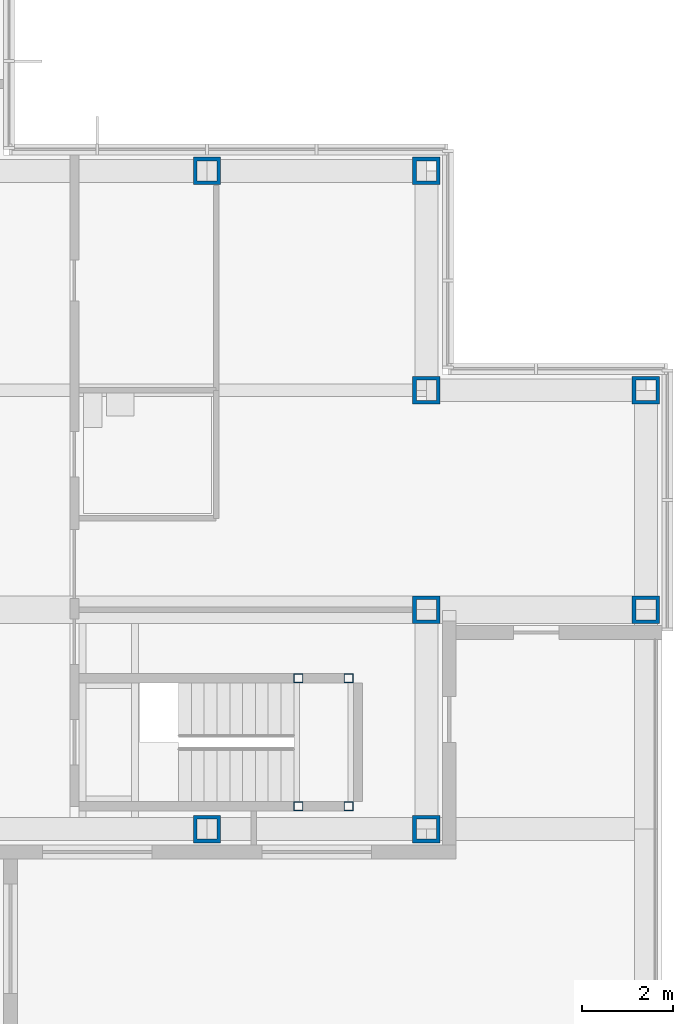
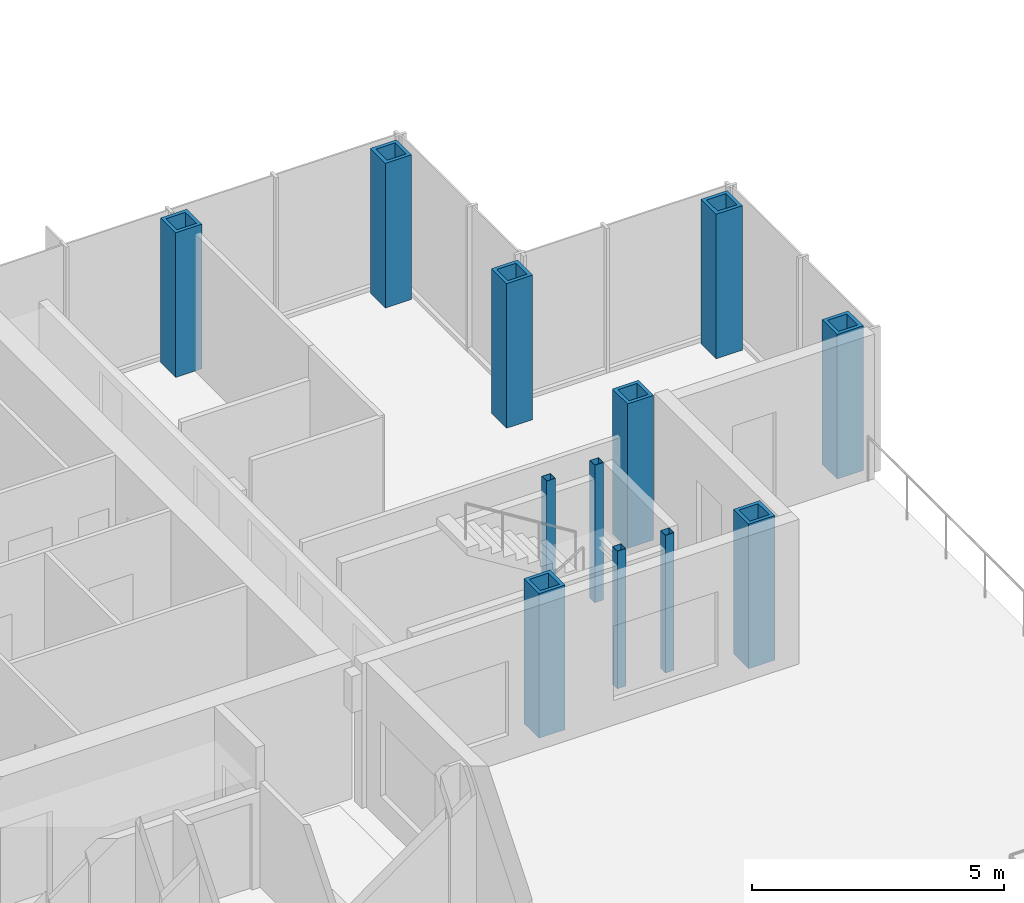
# One storey, part 4 of 17: 12 columns.
"""IFC4 building model written with IfcOpenShell, lengths in metres."""

from ifc_helpers import new_model, si_unit, direction, frame, origin, origin_2d, place, context, subcontext, project, spatial, hollow_rectangle, extrude, material, material_profile, profile_set, type_object, element, save


model = new_model("IFC4")

# Units and contexts
model_context = context("Model", 3, precision=1e-05, world=origin(), true_north=direction((0.0, 1.0)))
body_context = subcontext(model_context, "Body", "Model", "MODEL_VIEW")
ifc_project = project(units=[si_unit("LENGTHUNIT", "METRE"), si_unit("AREAUNIT", "SQUARE_METRE"), si_unit("VOLUMEUNIT", "CUBIC_METRE"), si_unit("PLANEANGLEUNIT", "RADIAN"), si_unit("MASSUNIT", "GRAM", prefix="KILO")], contexts=[model_context])

# Site, building, storey
site_placement = place(None, origin())
site = spatial("IfcSite", under=ifc_project, at=site_placement, CompositionType="ELEMENT")
building_placement = place(site_placement, origin())
building = spatial("IfcBuilding", under=site, at=building_placement, Name="Kvirike Care Tower", CompositionType="ELEMENT")
storey_placement = place(building_placement, frame((0.0, 0.0, 141.0)))
storey = spatial("IfcBuildingStorey", under=building, at=storey_placement, Name="L38", CompositionType="ELEMENT", Elevation=141.0)

# Columns
ifc_material_1 = material(Name="Steel S460", Category="steel")
ifc_material_profile_1 = material_profile(ifc_material_1, hollow_rectangle(XDim=0.60009765625, YDim=0.60009765625, WallThickness=0.080078125, at=origin_2d()), Name="BX 600x600x80")
ifc_profile_set_1 = profile_set([ifc_material_profile_1], Name="Steel S460")
column_type_1 = type_object("IfcColumnType", Name="COLUMN BX 600x600x80", PredefinedType="COLUMN", material=ifc_profile_set_1)
for number, where, z_axis, x_axis, name in (
    (1, (33.60009765625, 28.800048828125, 0.0), (0.0, 0.0, 1.0), (0.0, 1.0, 0.0), "Column G10 L38"),
    (2, (33.60009765625, 43.199951171875, 0.0), (0.0, 0.0, 1.0), (0.0, 1.0, 0.0), "Column K10 L38"),
    (3, (38.39990234375, 28.800048828125, 0.0), (0.0, 0.0, 1.0), (0.0, 1.0, 0.0), "Column G11 L38"),
    (4, (38.39990234375, 33.60009765625, 0.0), (0.0, 0.0, 1.0), (0.0, 1.0, 0.0), "Column H11 L38"),
    (5, (38.39990234375, 38.39990234375, 0.0), (0.0, 0.0, 1.0), (0.0, 1.0, 0.0), "Column J11 L38"),
    (6, (38.39990234375, 43.199951171875, 0.0), (0.0, 0.0, 1.0), (0.0, 1.0, 0.0), "Column K11 L38"),
    (7, (43.199951171875, 33.60009765625, 0.0), (0.0, 0.0, 1.0), (0.0, 1.0, 0.0), "Column H12 L38"),
    (8, (43.199951171875, 38.39990234375, 0.0), (0.0, 0.0, 1.0), (0.0, 1.0, 0.0), "Column J12 L38"),
):
    element("IfcColumn", number, at=place(storey_placement, frame(where, z_axis=z_axis, x_axis=x_axis)), inside=storey, type_object=column_type_1, Name=name, PredefinedType="COLUMN", context=body_context, shape_type="SweptSolid", body=[
        extrude(hollow_rectangle(XDim=0.60009765625, YDim=0.60009765625, WallThickness=0.080078125, at=origin_2d()), origin(), (0.0, 0.0, 1.0), 3.5),
    ])
ifc_material_2 = material(Name="Steel S460", Category="steel")
ifc_material_profile_2 = material_profile(ifc_material_2, hollow_rectangle(XDim=0.199951171875, YDim=0.199951171875, WallThickness=0.008056640625, at=origin_2d()), Name="SHS 200x200x8")
ifc_profile_set_2 = profile_set([ifc_material_profile_2], Name="Steel S460")
column_type_2 = type_object("IfcColumnType", Name="STAIR POST SHS 200x200x8", PredefinedType="COLUMN", material=ifc_profile_set_2)
for number, where, z_axis, x_axis, name in (
    (9, (36.699951171875, 29.300048828125, 0.0), (0.0, 0.0, 1.0), (1.0, 0.0, 0.0), "Stair 2 post 1 L38"),
    (10, (36.699951171875, 32.10009765625, 0.0), (0.0, 0.0, 1.0), (1.0, 0.0, 0.0), "Stair 2 post 2 L38"),
    (11, (35.60009765625, 29.300048828125, 0.0), (0.0, 0.0, 1.0), (1.0, 0.0, 0.0), "Stair 2 post 3 L38"),
    (12, (35.60009765625, 32.10009765625, 0.0), (0.0, 0.0, 1.0), (1.0, 0.0, 0.0), "Stair 2 post 4 L38"),
):
    element("IfcColumn", number, at=place(storey_placement, frame(where, z_axis=z_axis, x_axis=x_axis)), inside=storey, type_object=column_type_2, Name=name, PredefinedType="COLUMN", context=body_context, shape_type="SweptSolid", body=[
        extrude(hollow_rectangle(XDim=0.199951171875, YDim=0.199951171875, WallThickness=0.008056640625, at=origin_2d()), origin(), (0.0, 0.0, 1.0), 3.330078125),
    ])

save(model, "model.ifc")
